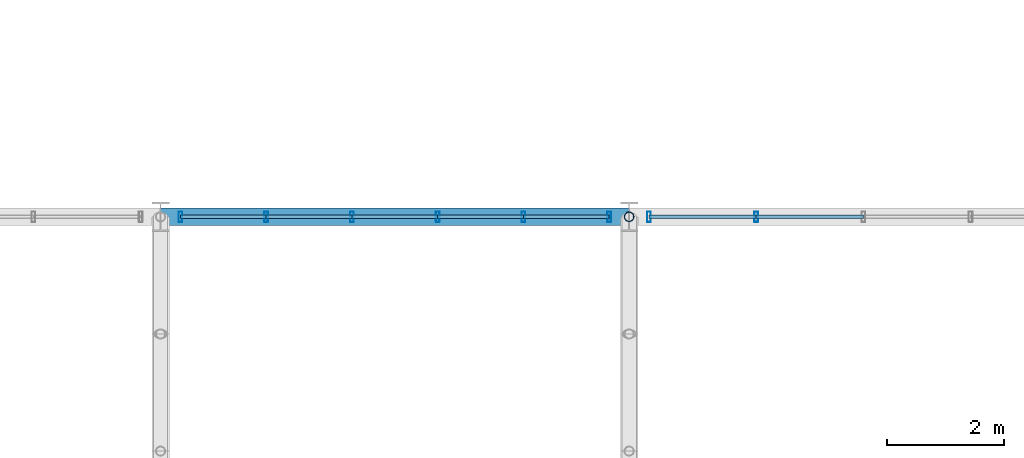
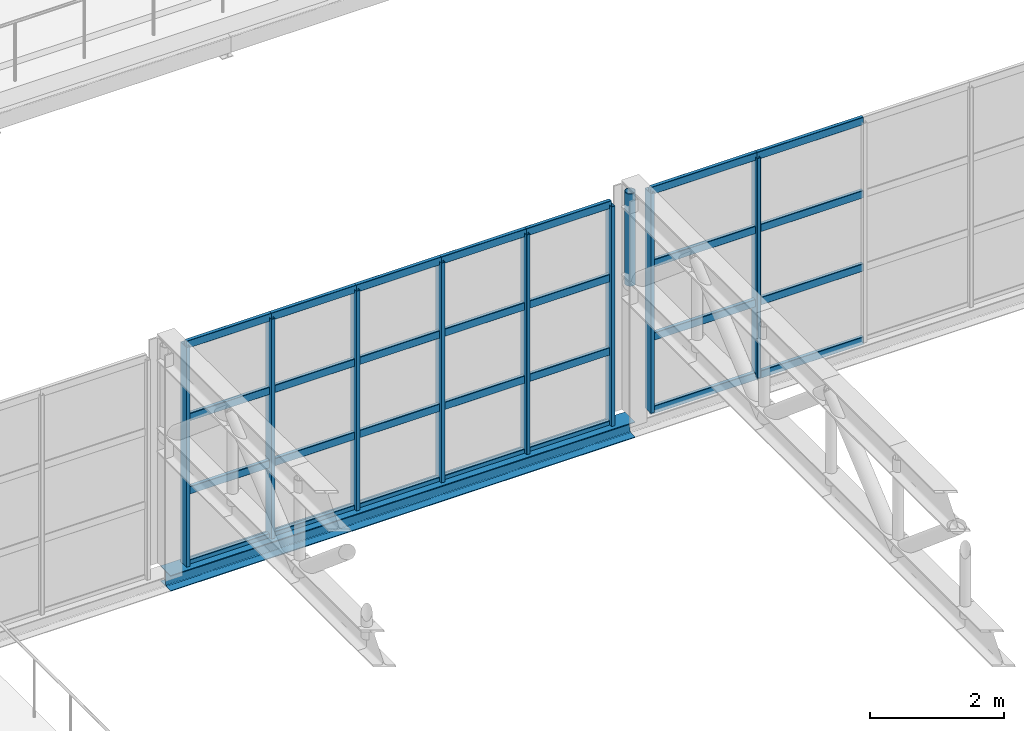
# One storey, part 31 of 67: 37 members, 1 beam, 2 elements without a shape of their own.
"""IFC4 building model written with IfcOpenShell, lengths in metres."""

from ifc_helpers import new_model, si_unit, derived_unit, direction, frame, origin, origin_2d, place, context, subcontext, project, spatial, hollow_rectangle, hollow_circle, i_section, extrude, material, material_profile, profile_set, type_object, element, aggregate, save


model = new_model("IFC4")

# Units and contexts
model_context = context("Model", 3, precision=1e-05, world=origin(), true_north=direction((0.0, 1.0)))
body_context = subcontext(model_context, "Body", "Model", "MODEL_VIEW")
ifc_project = project(units=[si_unit("LENGTHUNIT", "METRE"), si_unit("AREAUNIT", "SQUARE_METRE"), si_unit("VOLUMEUNIT", "CUBIC_METRE"), si_unit("PLANEANGLEUNIT", "RADIAN"), si_unit("MASSUNIT", "GRAM", prefix="KILO"), derived_unit("THERMALTRANSMITTANCEUNIT", [(si_unit("POWERUNIT", "WATT"), 1), (si_unit("LENGTHUNIT", "METRE"), -2), (si_unit("THERMODYNAMICTEMPERATUREUNIT", "KELVIN"), -1)])], contexts=[model_context])

# Site, building, storey
site_placement = place(None, origin())
site = spatial("IfcSite", under=ifc_project, at=site_placement, CompositionType="ELEMENT")
building_placement = place(site_placement, origin())
building = spatial("IfcBuilding", under=site, at=building_placement, Name="Keldorne Ridge Multi-Sports Centre", CompositionType="ELEMENT")
storey_placement = place(building_placement, frame((0.0, 0.0, 14.0)))
storey = spatial("IfcBuildingStorey", under=building, at=storey_placement, Name="L03", CompositionType="ELEMENT", Elevation=14.0)

# Beam
ifc_material_1 = material(Name="Steel S355", Category="steel")
ifc_material_profile_1 = material_profile(ifc_material_1, i_section(OverallWidth=0.300048828125, OverallDepth=0.2900390625, WebThickness=0.008544921875, FlangeThickness=0.013916015625, FilletRadius=0.027099609375, at=origin_2d()), Name="HEA 300")
ifc_profile_set_1 = profile_set([ifc_material_profile_1], Name="Steel S355")
beam_type = type_object("IfcBeamType", Name="BM-SP-04", PredefinedType="SPANDREL", material=ifc_profile_set_1)
beam_placement = place(storey_placement, frame((120.0, 54.0, -0.14990234375), z_axis=(1.0, 0.0, 0.0), x_axis=(0.0, 1.0, 0.0)))
element("IfcBeam", 1, at=beam_placement, inside=storey, type_object=beam_type, Name="Stacked Courts spandrel L03.54.3", PredefinedType="SPANDREL", context=body_context, shape_type="SweptSolid", body=[
    extrude(i_section(OverallWidth=0.300048828125, OverallDepth=0.2900390625, WebThickness=0.008544921875, FlangeThickness=0.013916015625, FilletRadius=0.027099609375, at=origin_2d()), origin(), (0.0, 0.0, 1.0), 8.0),
])

# Curtain wall, members
ifc_material_2 = material(Name="Anodized aluminium", Category="aluminium")
curtain_wall_type_1 = type_object("IfcCurtainWallType", Name="CW-CW-01", PredefinedType="NOTDEFINED", material=ifc_material_2)
curtain_wall_1_placement = place(storey_placement, origin())
curtain_wall_1 = element("IfcCurtainWall", 2, at=curtain_wall_1_placement, inside=storey, type_object=curtain_wall_type_1, Name="Upper Courts north clerestory 105", PredefinedType="NOTDEFINED")
ifc_material_profile_2 = material_profile(ifc_material_2, hollow_rectangle(XDim=0.06494140625, YDim=0.179931640625, WallThickness=0.00439453125, InnerFilletRadius=0.00439453125, OuterFilletRadius=0.009033203125, at=origin_2d()), Name="ALU MULLION 180x65x4.5")
ifc_profile_set_2 = profile_set([ifc_material_profile_2], Name="Anodized aluminium")
member_type_1 = type_object("IfcMemberType", Name="MEM-ML-01", PredefinedType="MULLION", material=ifc_profile_set_2)
member_1_placement = place(storey_placement, frame((127.659912109375, 54.0, 0.0), z_axis=(0.0, 0.0, 1.0), x_axis=(1.0, 0.0, 0.0)))
member_1 = element("IfcMember", 3, at=member_1_placement, type_object=member_type_1, Name="CW-105 vertical mullion 1", PredefinedType="MULLION", context=body_context, shape_type="SweptSolid", body=[
    extrude(hollow_rectangle(XDim=0.06494140625, YDim=0.179931640625, WallThickness=0.00439453125, InnerFilletRadius=0.00439453125, OuterFilletRadius=0.009033203125, at=origin_2d()), origin(), (0.0, 0.0, 1.0), 4.0),
])
member_2_placement = place(storey_placement, frame((126.196044921875, 54.0, 0.0), z_axis=(0.0, 0.0, 1.0), x_axis=(1.0, 0.0, 0.0)))
member_2 = element("IfcMember", 4, at=member_2_placement, type_object=member_type_1, Name="CW-105 vertical mullion 2", PredefinedType="MULLION", context=body_context, shape_type="SweptSolid", body=[
    extrude(hollow_rectangle(XDim=0.06494140625, YDim=0.179931640625, WallThickness=0.00439453125, InnerFilletRadius=0.00439453125, OuterFilletRadius=0.009033203125, at=origin_2d()), origin(), (0.0, 0.0, 1.0), 4.0),
])
member_3_placement = place(storey_placement, frame((124.73193359375, 54.0, 0.0), z_axis=(0.0, 0.0, 1.0), x_axis=(1.0, 0.0, 0.0)))
member_3 = element("IfcMember", 5, at=member_3_placement, type_object=member_type_1, Name="CW-105 vertical mullion 3", PredefinedType="MULLION", context=body_context, shape_type="SweptSolid", body=[
    extrude(hollow_rectangle(XDim=0.06494140625, YDim=0.179931640625, WallThickness=0.00439453125, InnerFilletRadius=0.00439453125, OuterFilletRadius=0.009033203125, at=origin_2d()), origin(), (0.0, 0.0, 1.0), 4.0),
])
member_4_placement = place(storey_placement, frame((123.26806640625, 54.0, 0.0), z_axis=(0.0, 0.0, 1.0), x_axis=(1.0, 0.0, 0.0)))
member_4 = element("IfcMember", 6, at=member_4_placement, type_object=member_type_1, Name="CW-105 vertical mullion 4", PredefinedType="MULLION", context=body_context, shape_type="SweptSolid", body=[
    extrude(hollow_rectangle(XDim=0.06494140625, YDim=0.179931640625, WallThickness=0.00439453125, InnerFilletRadius=0.00439453125, OuterFilletRadius=0.009033203125, at=origin_2d()), origin(), (0.0, 0.0, 1.0), 4.0),
])
member_5_placement = place(storey_placement, frame((121.803955078125, 54.0, 0.0), z_axis=(0.0, 0.0, 1.0), x_axis=(1.0, 0.0, 0.0)))
member_5 = element("IfcMember", 7, at=member_5_placement, type_object=member_type_1, Name="CW-105 vertical mullion 5", PredefinedType="MULLION", context=body_context, shape_type="SweptSolid", body=[
    extrude(hollow_rectangle(XDim=0.06494140625, YDim=0.179931640625, WallThickness=0.00439453125, InnerFilletRadius=0.00439453125, OuterFilletRadius=0.009033203125, at=origin_2d()), origin(), (0.0, 0.0, 1.0), 4.0),
])
member_6_placement = place(storey_placement, frame((120.340087890625, 54.0, 0.0), z_axis=(0.0, 0.0, 1.0), x_axis=(1.0, 0.0, 0.0)))
member_6 = element("IfcMember", 8, at=member_6_placement, type_object=member_type_1, Name="CW-105 vertical mullion 6", PredefinedType="MULLION", context=body_context, shape_type="SweptSolid", body=[
    extrude(hollow_rectangle(XDim=0.06494140625, YDim=0.179931640625, WallThickness=0.00439453125, InnerFilletRadius=0.00439453125, OuterFilletRadius=0.009033203125, at=origin_2d()), origin(), (0.0, 0.0, 1.0), 4.0),
])

curtain_wall_type_2 = type_object("IfcCurtainWallType", Name="CW-CW-08", PredefinedType="NOTDEFINED", material=ifc_material_2)
curtain_wall_2_placement = place(storey_placement, origin())
curtain_wall_2 = element("IfcCurtainWall", 9, at=curtain_wall_2_placement, inside=storey, type_object=curtain_wall_type_2, Name="Upper Courts north clerestory 112", PredefinedType="NOTDEFINED")
member_7_placement = place(storey_placement, frame((130.169921875, 54.0, 0.0), z_axis=(0.0, 0.0, 1.0), x_axis=(1.0, 0.0, 0.0)))
member_7 = element("IfcMember", 10, at=member_7_placement, type_object=member_type_1, Name="CW-112 vertical mullion 4", PredefinedType="MULLION", context=body_context, shape_type="SweptSolid", body=[
    extrude(hollow_rectangle(XDim=0.06494140625, YDim=0.179931640625, WallThickness=0.00439453125, InnerFilletRadius=0.00439453125, OuterFilletRadius=0.009033203125, at=origin_2d()), origin(), (0.0, 0.0, 1.0), 4.0),
])
member_8_placement = place(storey_placement, frame((128.340087890625, 54.0, 0.0), z_axis=(0.0, 0.0, 1.0), x_axis=(1.0, 0.0, 0.0)))
member_8 = element("IfcMember", 11, at=member_8_placement, type_object=member_type_1, Name="CW-112 vertical mullion 5", PredefinedType="MULLION", context=body_context, shape_type="SweptSolid", body=[
    extrude(hollow_rectangle(XDim=0.06494140625, YDim=0.179931640625, WallThickness=0.00439453125, InnerFilletRadius=0.00439453125, OuterFilletRadius=0.009033203125, at=origin_2d()), origin(), (0.0, 0.0, 1.0), 4.0),
])

# Member
ifc_material_profile_3 = material_profile(ifc_material_2, hollow_rectangle(XDim=0.06494140625, YDim=0.139892578125, WallThickness=0.00439453125, InnerFilletRadius=0.00439453125, OuterFilletRadius=0.009033203125, at=origin_2d()), Name="ALU TRANSOM 140x65x4.5")
ifc_profile_set_3 = profile_set([ifc_material_profile_3], Name="Anodized aluminium")
member_type_2 = type_object("IfcMemberType", Name="MEM-TR-01", PredefinedType="USERDEFINED", material=ifc_profile_set_3)
member_9_placement = place(storey_placement, frame((127.659912109375, 54.0, 0.0), z_axis=(-1.0, 0.0, 0.0), x_axis=(0.0, -1.0, 0.0)))
member_9 = element("IfcMember", 12, at=member_9_placement, type_object=member_type_2, Name="CW-105 transom 1.1", ObjectType="TRANSOM", PredefinedType="USERDEFINED", context=body_context, shape_type="SweptSolid", body=[
    extrude(hollow_rectangle(XDim=0.06494140625, YDim=0.139892578125, WallThickness=0.00439453125, InnerFilletRadius=0.00439453125, OuterFilletRadius=0.009033203125, at=origin_2d()), origin(), (0.0, 0.0, 1.0), 1.4638671875),
])

member_10_placement = place(storey_placement, frame((127.659912109375, 54.0, 1.333251953125), z_axis=(-1.0, 0.0, 0.0), x_axis=(0.0, -1.0, 0.0)))
member_10 = element("IfcMember", 13, at=member_10_placement, type_object=member_type_2, Name="CW-105 transom 1.2", ObjectType="TRANSOM", PredefinedType="USERDEFINED", context=body_context, shape_type="SweptSolid", body=[
    extrude(hollow_rectangle(XDim=0.06494140625, YDim=0.139892578125, WallThickness=0.00439453125, InnerFilletRadius=0.00439453125, OuterFilletRadius=0.009033203125, at=origin_2d()), origin(), (0.0, 0.0, 1.0), 1.4638671875),
])

member_11_placement = place(storey_placement, frame((127.659912109375, 54.0, 2.666748046875), z_axis=(-1.0, 0.0, 0.0), x_axis=(0.0, -1.0, 0.0)))
member_11 = element("IfcMember", 14, at=member_11_placement, type_object=member_type_2, Name="CW-105 transom 1.3", ObjectType="TRANSOM", PredefinedType="USERDEFINED", context=body_context, shape_type="SweptSolid", body=[
    extrude(hollow_rectangle(XDim=0.06494140625, YDim=0.139892578125, WallThickness=0.00439453125, InnerFilletRadius=0.00439453125, OuterFilletRadius=0.009033203125, at=origin_2d()), origin(), (0.0, 0.0, 1.0), 1.4638671875),
])

member_12_placement = place(storey_placement, frame((127.659912109375, 54.0, 4.0), z_axis=(-1.0, 0.0, 0.0), x_axis=(0.0, -1.0, 0.0)))
member_12 = element("IfcMember", 15, at=member_12_placement, type_object=member_type_2, Name="CW-105 transom 1.4", ObjectType="TRANSOM", PredefinedType="USERDEFINED", context=body_context, shape_type="SweptSolid", body=[
    extrude(hollow_rectangle(XDim=0.06494140625, YDim=0.139892578125, WallThickness=0.00439453125, InnerFilletRadius=0.00439453125, OuterFilletRadius=0.009033203125, at=origin_2d()), origin(), (0.0, 0.0, 1.0), 1.4638671875),
])

member_13_placement = place(storey_placement, frame((126.196044921875, 54.0, 0.0), z_axis=(-1.0, 0.0, 0.0), x_axis=(0.0, -1.0, 0.0)))
member_13 = element("IfcMember", 16, at=member_13_placement, type_object=member_type_2, Name="CW-105 transom 2.1", ObjectType="TRANSOM", PredefinedType="USERDEFINED", context=body_context, shape_type="SweptSolid", body=[
    extrude(hollow_rectangle(XDim=0.06494140625, YDim=0.139892578125, WallThickness=0.00439453125, InnerFilletRadius=0.00439453125, OuterFilletRadius=0.009033203125, at=origin_2d()), origin(), (0.0, 0.0, 1.0), 1.464111328125),
])

member_14_placement = place(storey_placement, frame((126.196044921875, 54.0, 1.333251953125), z_axis=(-1.0, 0.0, 0.0), x_axis=(0.0, -1.0, 0.0)))
member_14 = element("IfcMember", 17, at=member_14_placement, type_object=member_type_2, Name="CW-105 transom 2.2", ObjectType="TRANSOM", PredefinedType="USERDEFINED", context=body_context, shape_type="SweptSolid", body=[
    extrude(hollow_rectangle(XDim=0.06494140625, YDim=0.139892578125, WallThickness=0.00439453125, InnerFilletRadius=0.00439453125, OuterFilletRadius=0.009033203125, at=origin_2d()), origin(), (0.0, 0.0, 1.0), 1.464111328125),
])

member_15_placement = place(storey_placement, frame((126.196044921875, 54.0, 2.666748046875), z_axis=(-1.0, 0.0, 0.0), x_axis=(0.0, -1.0, 0.0)))
member_15 = element("IfcMember", 18, at=member_15_placement, type_object=member_type_2, Name="CW-105 transom 2.3", ObjectType="TRANSOM", PredefinedType="USERDEFINED", context=body_context, shape_type="SweptSolid", body=[
    extrude(hollow_rectangle(XDim=0.06494140625, YDim=0.139892578125, WallThickness=0.00439453125, InnerFilletRadius=0.00439453125, OuterFilletRadius=0.009033203125, at=origin_2d()), origin(), (0.0, 0.0, 1.0), 1.464111328125),
])

member_16_placement = place(storey_placement, frame((126.196044921875, 54.0, 4.0), z_axis=(-1.0, 0.0, 0.0), x_axis=(0.0, -1.0, 0.0)))
member_16 = element("IfcMember", 19, at=member_16_placement, type_object=member_type_2, Name="CW-105 transom 2.4", ObjectType="TRANSOM", PredefinedType="USERDEFINED", context=body_context, shape_type="SweptSolid", body=[
    extrude(hollow_rectangle(XDim=0.06494140625, YDim=0.139892578125, WallThickness=0.00439453125, InnerFilletRadius=0.00439453125, OuterFilletRadius=0.009033203125, at=origin_2d()), origin(), (0.0, 0.0, 1.0), 1.464111328125),
])

member_17_placement = place(storey_placement, frame((124.73193359375, 54.0, 0.0), z_axis=(-1.0, 0.0, 0.0), x_axis=(0.0, -1.0, 0.0)))
member_17 = element("IfcMember", 20, at=member_17_placement, type_object=member_type_2, Name="CW-105 transom 3.1", ObjectType="TRANSOM", PredefinedType="USERDEFINED", context=body_context, shape_type="SweptSolid", body=[
    extrude(hollow_rectangle(XDim=0.06494140625, YDim=0.139892578125, WallThickness=0.00439453125, InnerFilletRadius=0.00439453125, OuterFilletRadius=0.009033203125, at=origin_2d()), origin(), (0.0, 0.0, 1.0), 1.4638671875),
])

member_18_placement = place(storey_placement, frame((124.73193359375, 54.0, 1.333251953125), z_axis=(-1.0, 0.0, 0.0), x_axis=(0.0, -1.0, 0.0)))
member_18 = element("IfcMember", 21, at=member_18_placement, type_object=member_type_2, Name="CW-105 transom 3.2", ObjectType="TRANSOM", PredefinedType="USERDEFINED", context=body_context, shape_type="SweptSolid", body=[
    extrude(hollow_rectangle(XDim=0.06494140625, YDim=0.139892578125, WallThickness=0.00439453125, InnerFilletRadius=0.00439453125, OuterFilletRadius=0.009033203125, at=origin_2d()), origin(), (0.0, 0.0, 1.0), 1.4638671875),
])

member_19_placement = place(storey_placement, frame((124.73193359375, 54.0, 2.666748046875), z_axis=(-1.0, 0.0, 0.0), x_axis=(0.0, -1.0, 0.0)))
member_19 = element("IfcMember", 22, at=member_19_placement, type_object=member_type_2, Name="CW-105 transom 3.3", ObjectType="TRANSOM", PredefinedType="USERDEFINED", context=body_context, shape_type="SweptSolid", body=[
    extrude(hollow_rectangle(XDim=0.06494140625, YDim=0.139892578125, WallThickness=0.00439453125, InnerFilletRadius=0.00439453125, OuterFilletRadius=0.009033203125, at=origin_2d()), origin(), (0.0, 0.0, 1.0), 1.4638671875),
])

member_20_placement = place(storey_placement, frame((124.73193359375, 54.0, 4.0), z_axis=(-1.0, 0.0, 0.0), x_axis=(0.0, -1.0, 0.0)))
member_20 = element("IfcMember", 23, at=member_20_placement, type_object=member_type_2, Name="CW-105 transom 3.4", ObjectType="TRANSOM", PredefinedType="USERDEFINED", context=body_context, shape_type="SweptSolid", body=[
    extrude(hollow_rectangle(XDim=0.06494140625, YDim=0.139892578125, WallThickness=0.00439453125, InnerFilletRadius=0.00439453125, OuterFilletRadius=0.009033203125, at=origin_2d()), origin(), (0.0, 0.0, 1.0), 1.4638671875),
])

member_21_placement = place(storey_placement, frame((123.26806640625, 54.0, 0.0), z_axis=(-1.0, 0.0, 0.0), x_axis=(0.0, -1.0, 0.0)))
member_21 = element("IfcMember", 24, at=member_21_placement, type_object=member_type_2, Name="CW-105 transom 4.1", ObjectType="TRANSOM", PredefinedType="USERDEFINED", context=body_context, shape_type="SweptSolid", body=[
    extrude(hollow_rectangle(XDim=0.06494140625, YDim=0.139892578125, WallThickness=0.00439453125, InnerFilletRadius=0.00439453125, OuterFilletRadius=0.009033203125, at=origin_2d()), origin(), (0.0, 0.0, 1.0), 1.464111328125),
])

member_22_placement = place(storey_placement, frame((123.26806640625, 54.0, 1.333251953125), z_axis=(-1.0, 0.0, 0.0), x_axis=(0.0, -1.0, 0.0)))
member_22 = element("IfcMember", 25, at=member_22_placement, type_object=member_type_2, Name="CW-105 transom 4.2", ObjectType="TRANSOM", PredefinedType="USERDEFINED", context=body_context, shape_type="SweptSolid", body=[
    extrude(hollow_rectangle(XDim=0.06494140625, YDim=0.139892578125, WallThickness=0.00439453125, InnerFilletRadius=0.00439453125, OuterFilletRadius=0.009033203125, at=origin_2d()), origin(), (0.0, 0.0, 1.0), 1.464111328125),
])

member_23_placement = place(storey_placement, frame((123.26806640625, 54.0, 2.666748046875), z_axis=(-1.0, 0.0, 0.0), x_axis=(0.0, -1.0, 0.0)))
member_23 = element("IfcMember", 26, at=member_23_placement, type_object=member_type_2, Name="CW-105 transom 4.3", ObjectType="TRANSOM", PredefinedType="USERDEFINED", context=body_context, shape_type="SweptSolid", body=[
    extrude(hollow_rectangle(XDim=0.06494140625, YDim=0.139892578125, WallThickness=0.00439453125, InnerFilletRadius=0.00439453125, OuterFilletRadius=0.009033203125, at=origin_2d()), origin(), (0.0, 0.0, 1.0), 1.464111328125),
])

member_24_placement = place(storey_placement, frame((123.26806640625, 54.0, 4.0), z_axis=(-1.0, 0.0, 0.0), x_axis=(0.0, -1.0, 0.0)))
member_24 = element("IfcMember", 27, at=member_24_placement, type_object=member_type_2, Name="CW-105 transom 4.4", ObjectType="TRANSOM", PredefinedType="USERDEFINED", context=body_context, shape_type="SweptSolid", body=[
    extrude(hollow_rectangle(XDim=0.06494140625, YDim=0.139892578125, WallThickness=0.00439453125, InnerFilletRadius=0.00439453125, OuterFilletRadius=0.009033203125, at=origin_2d()), origin(), (0.0, 0.0, 1.0), 1.464111328125),
])

member_25_placement = place(storey_placement, frame((121.803955078125, 54.0, 0.0), z_axis=(-1.0, 0.0, 0.0), x_axis=(0.0, -1.0, 0.0)))
member_25 = element("IfcMember", 28, at=member_25_placement, type_object=member_type_2, Name="CW-105 transom 5.1", ObjectType="TRANSOM", PredefinedType="USERDEFINED", context=body_context, shape_type="SweptSolid", body=[
    extrude(hollow_rectangle(XDim=0.06494140625, YDim=0.139892578125, WallThickness=0.00439453125, InnerFilletRadius=0.00439453125, OuterFilletRadius=0.009033203125, at=origin_2d()), origin(), (0.0, 0.0, 1.0), 1.4638671875),
])

member_26_placement = place(storey_placement, frame((121.803955078125, 54.0, 1.333251953125), z_axis=(-1.0, 0.0, 0.0), x_axis=(0.0, -1.0, 0.0)))
member_26 = element("IfcMember", 29, at=member_26_placement, type_object=member_type_2, Name="CW-105 transom 5.2", ObjectType="TRANSOM", PredefinedType="USERDEFINED", context=body_context, shape_type="SweptSolid", body=[
    extrude(hollow_rectangle(XDim=0.06494140625, YDim=0.139892578125, WallThickness=0.00439453125, InnerFilletRadius=0.00439453125, OuterFilletRadius=0.009033203125, at=origin_2d()), origin(), (0.0, 0.0, 1.0), 1.4638671875),
])

member_27_placement = place(storey_placement, frame((121.803955078125, 54.0, 2.666748046875), z_axis=(-1.0, 0.0, 0.0), x_axis=(0.0, -1.0, 0.0)))
member_27 = element("IfcMember", 30, at=member_27_placement, type_object=member_type_2, Name="CW-105 transom 5.3", ObjectType="TRANSOM", PredefinedType="USERDEFINED", context=body_context, shape_type="SweptSolid", body=[
    extrude(hollow_rectangle(XDim=0.06494140625, YDim=0.139892578125, WallThickness=0.00439453125, InnerFilletRadius=0.00439453125, OuterFilletRadius=0.009033203125, at=origin_2d()), origin(), (0.0, 0.0, 1.0), 1.4638671875),
])

member_28_placement = place(storey_placement, frame((121.803955078125, 54.0, 4.0), z_axis=(-1.0, 0.0, 0.0), x_axis=(0.0, -1.0, 0.0)))
member_28 = element("IfcMember", 31, at=member_28_placement, type_object=member_type_2, Name="CW-105 transom 5.4", ObjectType="TRANSOM", PredefinedType="USERDEFINED", context=body_context, shape_type="SweptSolid", body=[
    extrude(hollow_rectangle(XDim=0.06494140625, YDim=0.139892578125, WallThickness=0.00439453125, InnerFilletRadius=0.00439453125, OuterFilletRadius=0.009033203125, at=origin_2d()), origin(), (0.0, 0.0, 1.0), 1.4638671875),
])

aggregate(curtain_wall_1, [member_1, member_2, member_3, member_4, member_5, member_6, member_9, member_10, member_11, member_12, member_13, member_14, member_15, member_16, member_17, member_18, member_19, member_20, member_21, member_22, member_23, member_24, member_25, member_26, member_27, member_28])

member_29_placement = place(storey_placement, frame((132.0, 54.0, 0.0), z_axis=(-1.0, 0.0, 0.0), x_axis=(0.0, -1.0, 0.0)))
member_29 = element("IfcMember", 32, at=member_29_placement, type_object=member_type_2, Name="CW-112 transom 3.1", ObjectType="TRANSOM", PredefinedType="USERDEFINED", context=body_context, shape_type="SweptSolid", body=[
    extrude(hollow_rectangle(XDim=0.06494140625, YDim=0.139892578125, WallThickness=0.00439453125, InnerFilletRadius=0.00439453125, OuterFilletRadius=0.009033203125, at=origin_2d()), origin(), (0.0, 0.0, 1.0), 1.830078125),
])

member_30_placement = place(storey_placement, frame((132.0, 54.0, 1.333251953125), z_axis=(-1.0, 0.0, 0.0), x_axis=(0.0, -1.0, 0.0)))
member_30 = element("IfcMember", 33, at=member_30_placement, type_object=member_type_2, Name="CW-112 transom 3.2", ObjectType="TRANSOM", PredefinedType="USERDEFINED", context=body_context, shape_type="SweptSolid", body=[
    extrude(hollow_rectangle(XDim=0.06494140625, YDim=0.139892578125, WallThickness=0.00439453125, InnerFilletRadius=0.00439453125, OuterFilletRadius=0.009033203125, at=origin_2d()), origin(), (0.0, 0.0, 1.0), 1.830078125),
])

member_31_placement = place(storey_placement, frame((132.0, 54.0, 2.666748046875), z_axis=(-1.0, 0.0, 0.0), x_axis=(0.0, -1.0, 0.0)))
member_31 = element("IfcMember", 34, at=member_31_placement, type_object=member_type_2, Name="CW-112 transom 3.3", ObjectType="TRANSOM", PredefinedType="USERDEFINED", context=body_context, shape_type="SweptSolid", body=[
    extrude(hollow_rectangle(XDim=0.06494140625, YDim=0.139892578125, WallThickness=0.00439453125, InnerFilletRadius=0.00439453125, OuterFilletRadius=0.009033203125, at=origin_2d()), origin(), (0.0, 0.0, 1.0), 1.830078125),
])

member_32_placement = place(storey_placement, frame((132.0, 54.0, 4.0), z_axis=(-1.0, 0.0, 0.0), x_axis=(0.0, -1.0, 0.0)))
member_32 = element("IfcMember", 35, at=member_32_placement, type_object=member_type_2, Name="CW-112 transom 3.4", ObjectType="TRANSOM", PredefinedType="USERDEFINED", context=body_context, shape_type="SweptSolid", body=[
    extrude(hollow_rectangle(XDim=0.06494140625, YDim=0.139892578125, WallThickness=0.00439453125, InnerFilletRadius=0.00439453125, OuterFilletRadius=0.009033203125, at=origin_2d()), origin(), (0.0, 0.0, 1.0), 1.830078125),
])

member_33_placement = place(storey_placement, frame((130.169921875, 54.0, 0.0), z_axis=(-1.0, 0.0, 0.0), x_axis=(0.0, -1.0, 0.0)))
member_33 = element("IfcMember", 36, at=member_33_placement, type_object=member_type_2, Name="CW-112 transom 4.1", ObjectType="TRANSOM", PredefinedType="USERDEFINED", context=body_context, shape_type="SweptSolid", body=[
    extrude(hollow_rectangle(XDim=0.06494140625, YDim=0.139892578125, WallThickness=0.00439453125, InnerFilletRadius=0.00439453125, OuterFilletRadius=0.009033203125, at=origin_2d()), origin(), (0.0, 0.0, 1.0), 1.829833984375),
])

member_34_placement = place(storey_placement, frame((130.169921875, 54.0, 1.333251953125), z_axis=(-1.0, 0.0, 0.0), x_axis=(0.0, -1.0, 0.0)))
member_34 = element("IfcMember", 37, at=member_34_placement, type_object=member_type_2, Name="CW-112 transom 4.2", ObjectType="TRANSOM", PredefinedType="USERDEFINED", context=body_context, shape_type="SweptSolid", body=[
    extrude(hollow_rectangle(XDim=0.06494140625, YDim=0.139892578125, WallThickness=0.00439453125, InnerFilletRadius=0.00439453125, OuterFilletRadius=0.009033203125, at=origin_2d()), origin(), (0.0, 0.0, 1.0), 1.829833984375),
])

member_35_placement = place(storey_placement, frame((130.169921875, 54.0, 2.666748046875), z_axis=(-1.0, 0.0, 0.0), x_axis=(0.0, -1.0, 0.0)))
member_35 = element("IfcMember", 38, at=member_35_placement, type_object=member_type_2, Name="CW-112 transom 4.3", ObjectType="TRANSOM", PredefinedType="USERDEFINED", context=body_context, shape_type="SweptSolid", body=[
    extrude(hollow_rectangle(XDim=0.06494140625, YDim=0.139892578125, WallThickness=0.00439453125, InnerFilletRadius=0.00439453125, OuterFilletRadius=0.009033203125, at=origin_2d()), origin(), (0.0, 0.0, 1.0), 1.829833984375),
])

member_36_placement = place(storey_placement, frame((130.169921875, 54.0, 4.0), z_axis=(-1.0, 0.0, 0.0), x_axis=(0.0, -1.0, 0.0)))
member_36 = element("IfcMember", 39, at=member_36_placement, type_object=member_type_2, Name="CW-112 transom 4.4", ObjectType="TRANSOM", PredefinedType="USERDEFINED", context=body_context, shape_type="SweptSolid", body=[
    extrude(hollow_rectangle(XDim=0.06494140625, YDim=0.139892578125, WallThickness=0.00439453125, InnerFilletRadius=0.00439453125, OuterFilletRadius=0.009033203125, at=origin_2d()), origin(), (0.0, 0.0, 1.0), 1.829833984375),
])

aggregate(curtain_wall_2, [member_7, member_8, member_29, member_30, member_31, member_32, member_33, member_34, member_35, member_36])

ifc_material_profile_4 = material_profile(ifc_material_1, hollow_circle(Radius=0.084228515625, WallThickness=0.010009765625, at=origin_2d()), Name="CHS 168.3x10")
ifc_profile_set_4 = profile_set([ifc_material_profile_4], Name="Steel S355")
member_type_3 = type_object("IfcMemberType", Name="MEM-TV-01", PredefinedType="STRUT", material=ifc_profile_set_4)
member_37_placement = place(storey_placement, frame((128.0, 54.0, 2.429931640625), z_axis=(0.0, 0.0, 1.0), x_axis=(1.0, 0.0, 0.0)))
element("IfcMember", 40, at=member_37_placement, inside=storey, type_object=member_type_3, Name="Stacked Courts Warren TRUSS WT-L04-04 end post 24", PredefinedType="STRUT", context=body_context, shape_type="SweptSolid", body=[
    extrude(hollow_circle(Radius=0.084228515625, WallThickness=0.010009765625, at=origin_2d()), origin(), (0.0, 0.0, 1.0), 1.68017578125),
])

save(model, "model.ifc")
